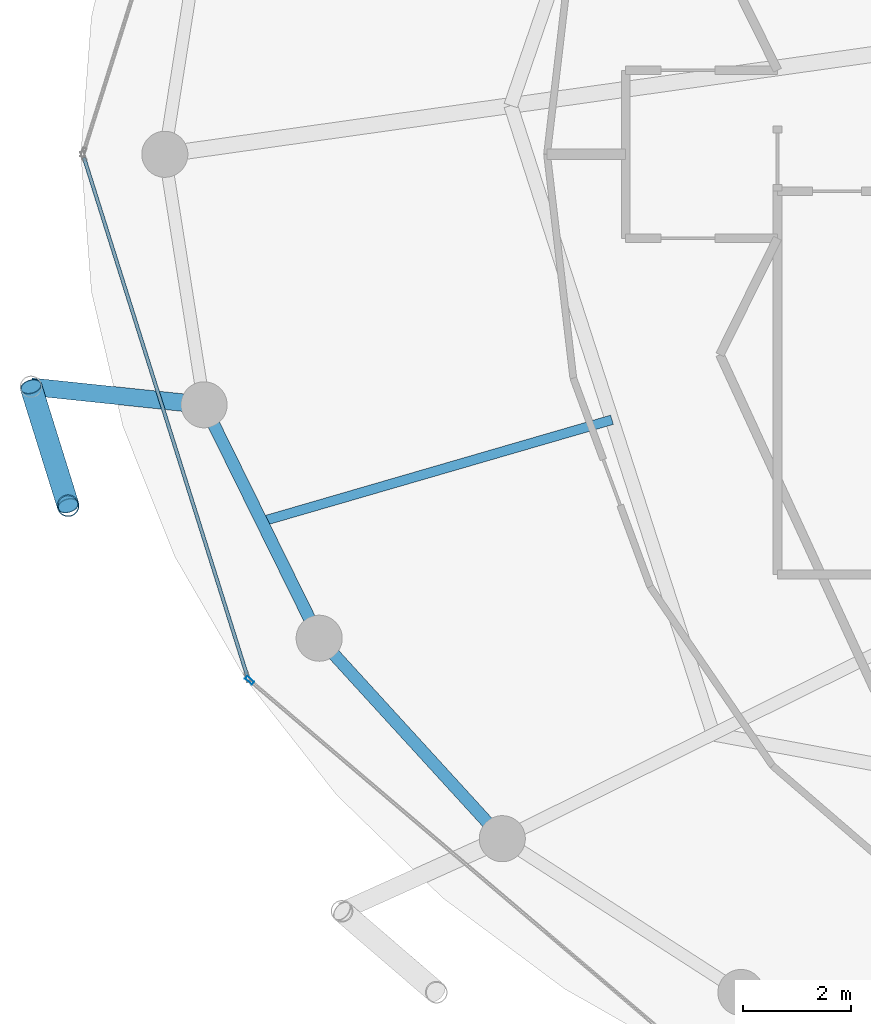
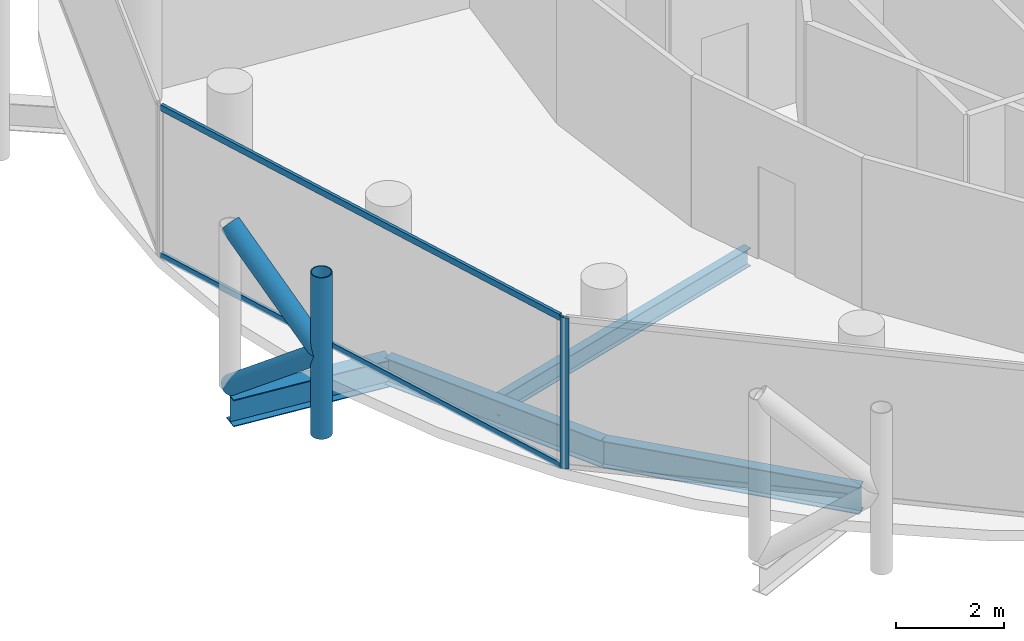
# One storey, part 3 of 27: 6 members, 4 beams, 2 elements without a shape of their own.
"""IFC4 building model written with IfcOpenShell, lengths in metres."""

from ifc_helpers import new_model, si_unit, direction, frame, origin, origin_2d, place, context, subcontext, project, spatial, hollow_rectangle, hollow_circle, i_section, extrude, material, layer, layer_set, material_profile, profile_set, type_object, element, aggregate, save


model = new_model("IFC4")

# Units and contexts
model_context = context("Model", 3, precision=1e-05, world=origin(), true_north=direction((0.0, 1.0)))
body_context = subcontext(model_context, "Body", "Model", "MODEL_VIEW")
ifc_project = project(units=[si_unit("LENGTHUNIT", "METRE"), si_unit("AREAUNIT", "SQUARE_METRE"), si_unit("VOLUMEUNIT", "CUBIC_METRE"), si_unit("PLANEANGLEUNIT", "RADIAN"), si_unit("MASSUNIT", "GRAM", prefix="KILO")], contexts=[model_context])

# Site, building, storey
site_placement = place(None, origin())
site = spatial("IfcSite", under=ifc_project, at=site_placement, CompositionType="ELEMENT")
building_placement = place(site_placement, origin())
building = spatial("IfcBuilding", under=site, at=building_placement, Name="Nuhasar Tower", CompositionType="ELEMENT")
storey_placement = place(building_placement, frame((0.0, 0.0, 241.0)))
storey = spatial("IfcBuildingStorey", under=building, at=storey_placement, Name="L59", CompositionType="ELEMENT", Elevation=241.0)

# Beams
ifc_material_1 = material(Name="Steel S355", Category="steel")
ifc_material_profile_1 = material_profile(ifc_material_1, i_section(OverallWidth=0.177978515625, OverallDepth=0.406005859375, WebThickness=0.0078125, FlangeThickness=0.0126953125, at=origin_2d()), Name="W16X40")
ifc_profile_set_1 = profile_set([ifc_material_profile_1], Name="Steel S355")
beam_type_1 = type_object("IfcBeamType", Name="BM-JST-W16X40", PredefinedType="JOIST", material=ifc_profile_set_1)
beam_1_placement = place(storey_placement, frame((25.9970703125, 21.904052734375, -0.443115234375), z_axis=(-0.960312689798, -0.27892568511, 0.0), x_axis=(0.27892568511, -0.960312689798, 0.0)))
element("IfcBeam", 1, at=beam_1_placement, inside=storey, type_object=beam_type_1, Name="L59 Secondary Floor Joist 08", PredefinedType="JOIST", context=body_context, shape_type="SweptSolid", body=[
    extrude(i_section(OverallWidth=0.177978515625, OverallDepth=0.406005859375, WebThickness=0.0078125, FlangeThickness=0.0126953125, at=origin_2d()), origin(), (0.0, 0.0, 1.0), 6.729248046875),
])
ifc_material_profile_2 = material_profile(ifc_material_1, i_section(OverallWidth=0.22802734375, OverallDepth=0.60791015625, WebThickness=0.01123046875, FlangeThickness=0.017333984375, at=origin_2d()), Name="W24X76")
ifc_profile_set_2 = profile_set([ifc_material_profile_2], Name="Steel S355")
beam_type_2 = type_object("IfcBeamType", Name="BM-RING-W24X76", PredefinedType="SPANDREL", material=ifc_profile_set_2)
beam_2_placement = place(storey_placement, frame((18.47412109375, 22.179931640625, -0.5439453125), z_axis=(0.442262779282, -0.896885518928, 0.0), x_axis=(0.896885518928, 0.442262779282, 0.0)))
element("IfcBeam", 2, at=beam_2_placement, inside=storey, type_object=beam_type_2, Name="L59 Perimeter Ring Spandrel 14", PredefinedType="SPANDREL", context=body_context, shape_type="SweptSolid", body=[
    extrude(i_section(OverallWidth=0.22802734375, OverallDepth=0.60791015625, WebThickness=0.01123046875, FlangeThickness=0.017333984375, at=origin_2d()), origin(), (0.0, 0.0, 1.0), 4.7998046875),
])
beam_3_placement = place(storey_placement, frame((20.596923828125, 17.875, -0.5439453125), z_axis=(0.674449692975, -0.738320805373, 0.0), x_axis=(0.738320805373, 0.674449692975, 0.0)))
element("IfcBeam", 3, at=beam_3_placement, inside=storey, type_object=beam_type_2, Name="L59 Perimeter Ring Spandrel 15", PredefinedType="SPANDREL", context=body_context, shape_type="SweptSolid", body=[
    extrude(i_section(OverallWidth=0.22802734375, OverallDepth=0.60791015625, WebThickness=0.01123046875, FlangeThickness=0.017333984375, at=origin_2d()), origin(), (0.0, 0.0, 1.0), 5.00732421875),
])
ifc_material_profile_3 = material_profile(ifc_material_1, i_section(OverallWidth=0.323974609375, OverallDepth=0.611083984375, WebThickness=0.0126953125, FlangeThickness=0.01904296875, at=origin_2d()), Name="W24X104")
ifc_profile_set_3 = profile_set([ifc_material_profile_3], Name="Steel S355")
beam_type_3 = type_object("IfcBeamType", Name="BM-TIE-W24X104", PredefinedType="BEAM", material=ifc_profile_set_3)
beam_4_placement = place(storey_placement, frame((18.47412109375, 22.179931640625, -0.5458984375), z_axis=(-0.994571111079, 0.10405914187, 0.0), x_axis=(-0.10405914187, -0.994571111079, 0.0)))
element("IfcBeam", 4, at=beam_4_placement, inside=storey, type_object=beam_type_3, Name="L59 Exoskeleton Node Tie Beam 07", PredefinedType="BEAM", context=body_context, shape_type="SweptSolid", body=[
    extrude(i_section(OverallWidth=0.323974609375, OverallDepth=0.611083984375, WebThickness=0.0126953125, FlangeThickness=0.01904296875, at=origin_2d()), origin(), (0.0, 0.0, 1.0), 3.20947265625),
])

# Curtain wall, member
ifc_material_2 = material(Name="Aluminium 6063-T6", Category="aluminium")
ifc_layer = layer(ifc_material_2, 0.18994140625)
ifc_layer_set = layer_set([ifc_layer], Name="Aluminium 6063-T6")
curtain_wall_type = type_object("IfcCurtainWallType", Name="CW-Z3-RES", PredefinedType="NOTDEFINED", material=ifc_layer_set)
curtain_wall_1_placement = place(storey_placement, origin())
curtain_wall_1 = element("IfcCurtainWall", 5, at=curtain_wall_1_placement, inside=storey, type_object=curtain_wall_type, Name="L59 Unitised Curtain Wall 08", PredefinedType="NOTDEFINED")
ifc_material_profile_4 = material_profile(ifc_material_2, hollow_rectangle(XDim=0.06494140625, YDim=0.169921875, WallThickness=0.0048828125, at=origin_2d()), Name="CWM-4")
ifc_profile_set_4 = profile_set([ifc_material_profile_4], Name="Aluminium 6063-T6")
member_type_1 = type_object("IfcMemberType", Name="CW-MUL-S4", PredefinedType="MULLION", material=ifc_profile_set_4)
member_1_placement = place(storey_placement, frame((19.313720703125, 17.098876953125, 0.0), z_axis=(0.0, 0.0, 1.0), x_axis=(0.64789521578, 0.761729472562, 0.0)))
member_1 = element("IfcMember", 6, at=member_1_placement, type_object=member_type_1, Name="CW-Z3 mullion 1", PredefinedType="MULLION", context=body_context, shape_type="SweptSolid", body=[
    extrude(hollow_rectangle(XDim=0.06494140625, YDim=0.169921875, WallThickness=0.0048828125, at=origin_2d()), origin(), (0.0, 0.0, 1.0), 3.409912109375),
])
aggregate(curtain_wall_1, [member_1])

# Curtain wall, members
curtain_wall_2_placement = place(storey_placement, origin())
curtain_wall_2 = element("IfcCurtainWall", 7, at=curtain_wall_2_placement, inside=storey, type_object=curtain_wall_type, Name="L59 Unitised Curtain Wall 07", PredefinedType="NOTDEFINED")
ifc_material_profile_5 = material_profile(ifc_material_2, hollow_rectangle(XDim=0.06494140625, YDim=0.139892578125, WallThickness=0.00439453125, at=origin_2d()), Name="CWT-4")
ifc_profile_set_5 = profile_set([ifc_material_profile_5], Name="Aluminium 6063-T6")
member_type_2 = type_object("IfcMemberType", Name="CW-TRN-S4", PredefinedType="USERDEFINED", material=ifc_profile_set_5)
member_2_placement = place(storey_placement, frame((16.259521484375, 26.738037109375, 0.032470703125), z_axis=(0.300430390604, -0.953803743126, 0.0), x_axis=(0.953803743126, 0.300430390604, 0.0)))
member_2 = element("IfcMember", 8, at=member_2_placement, type_object=member_type_2, Name="CW-Z3 transom 1.1", ObjectType="TRANSOM", PredefinedType="USERDEFINED", context=body_context, shape_type="SweptSolid", body=[
    extrude(hollow_rectangle(XDim=0.06494140625, YDim=0.139892578125, WallThickness=0.00439453125, at=origin_2d()), origin(), (0.0, 0.0, 1.0), 10.01904296875),
])
member_3_placement = place(storey_placement, frame((16.259521484375, 26.738037109375, 3.37744140625), z_axis=(0.300430390604, -0.953803743126, 0.0), x_axis=(0.953803743126, 0.300430390604, 0.0)))
member_3 = element("IfcMember", 9, at=member_3_placement, type_object=member_type_2, Name="CW-Z3 transom 1.2", ObjectType="TRANSOM", PredefinedType="USERDEFINED", context=body_context, shape_type="SweptSolid", body=[
    extrude(hollow_rectangle(XDim=0.06494140625, YDim=0.139892578125, WallThickness=0.00439453125, at=origin_2d()), origin(), (0.0, 0.0, 1.0), 10.01904296875),
])
aggregate(curtain_wall_2, [member_2, member_3])

# Members
ifc_material_3 = material(Name="Steel S460", Category="steel")
ifc_material_profile_6 = material_profile(ifc_material_3, hollow_circle(Radius=0.203125, WallThickness=0.01904296875, at=origin_2d()), Name="HSS406.4X19.1")
ifc_profile_set_6 = profile_set([ifc_material_profile_6], Name="Steel S460")
member_type_3 = type_object("IfcMemberType", Name="EXO-BRONZE-406", PredefinedType="BRACE", material=ifc_profile_set_6)
member_4_placement = place(storey_placement, frame((15.967041015625, 20.319091796875, 0.0), z_axis=(0.0, 0.0, 1.0), x_axis=(1.0, 0.0, 0.0)))
element("IfcMember", 10, at=member_4_placement, inside=storey, type_object=member_type_3, Name="L59 Exoskeleton Chord Column EC-07B", PredefinedType="BRACE", context=body_context, shape_type="SweptSolid", body=[
    extrude(hollow_circle(Radius=0.203125, WallThickness=0.01904296875, at=origin_2d()), origin(), (0.0, 0.0, 1.0), 3.64990234375),
])
for number, where, z_axis, x_axis, name in (
    (11, (15.281982421875, 22.513916015625, 0.0), (0.233372423355, -0.747689980743, 0.621688832709), (0.954581948223, 0.297948492404, 0.0), "L59 Bronze Diagrid Brace W1-07"),
    (12, (15.967041015625, 20.319091796875, 1.824951171875), (-0.233372423355, 0.747689980743, 0.621688832709), (-0.954581948223, -0.297948492404, 0.0), "L59 Bronze Diagrid Brace W2-07"),
):
    element("IfcMember", number, at=place(storey_placement, frame(where, z_axis=z_axis, x_axis=x_axis)), inside=storey, type_object=member_type_3, Name=name, PredefinedType="BRACE", context=body_context, shape_type="SweptSolid", body=[
        extrude(hollow_circle(Radius=0.203125, WallThickness=0.01904296875, at=origin_2d()), origin(), (0.0, 0.0, 1.0), 2.935546875),
    ])

save(model, "model.ifc")
